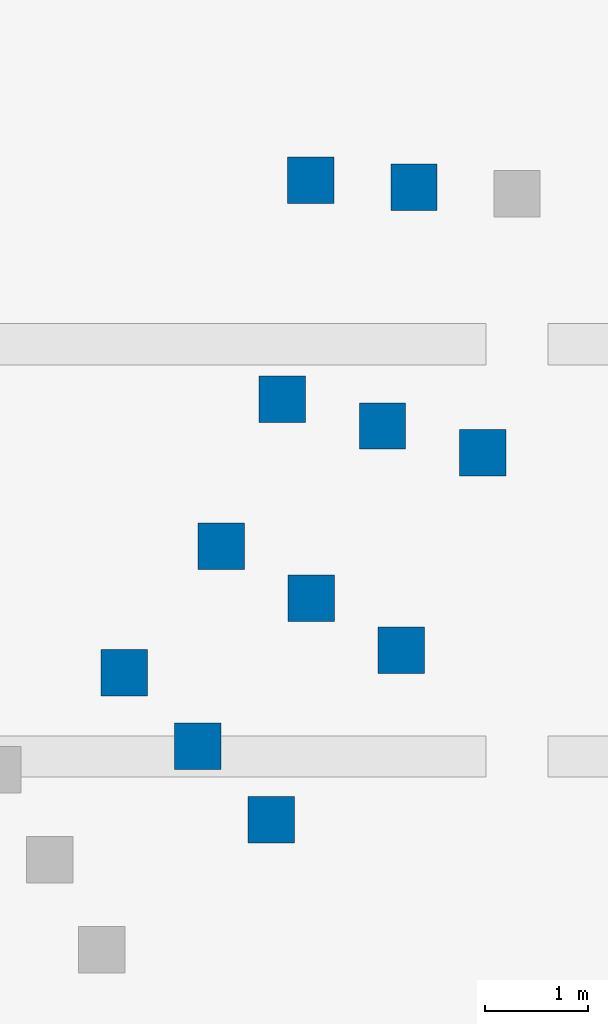
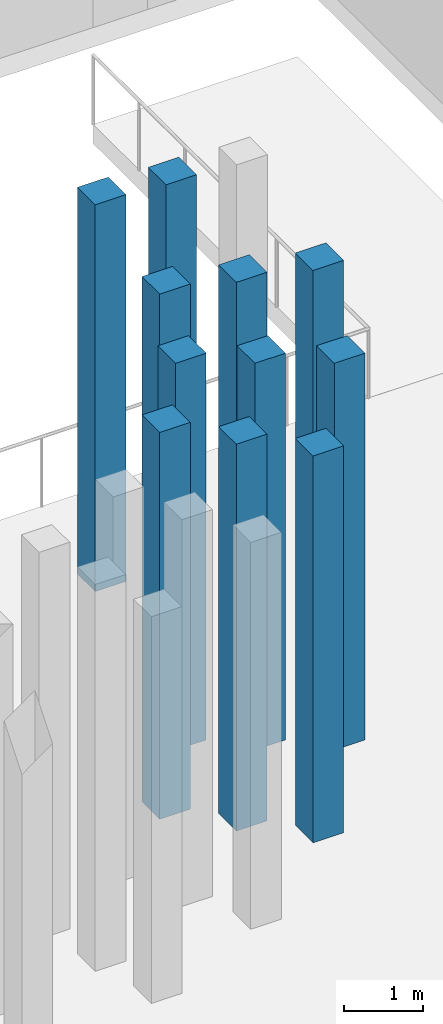
# One storey, part 12 of 155: 11 columns.
"""IFC4 building model written with IfcOpenShell, lengths in metres."""

from ifc_helpers import new_model, si_unit, direction, frame, origin, origin_2d, place, context, subcontext, project, spatial, rectangle, extrude, material, material_profile, profile_set, type_object, element, save


model = new_model("IFC4")

# Units and contexts
model_context = context("Model", 3, precision=1e-05, world=origin(), true_north=direction((0.0, 1.0)))
body_context = subcontext(model_context, "Body", "Model", "MODEL_VIEW")
ifc_project = project(units=[si_unit("LENGTHUNIT", "METRE"), si_unit("AREAUNIT", "SQUARE_METRE"), si_unit("VOLUMEUNIT", "CUBIC_METRE"), si_unit("PLANEANGLEUNIT", "RADIAN"), si_unit("MASSUNIT", "GRAM", prefix="KILO")], contexts=[model_context])

# Site, building, storey
site_placement = place(None, origin())
site = spatial("IfcSite", under=ifc_project, at=site_placement, CompositionType="ELEMENT")
building_placement = place(site_placement, origin())
building = spatial("IfcBuilding", under=site, at=building_placement, Name="Lunette Opera House", CompositionType="ELEMENT")
storey_placement = place(building_placement, origin())
storey = spatial("IfcBuildingStorey", under=building, at=storey_placement, Name="L00", CompositionType="ELEMENT", Elevation=0.0)

# Columns
ifc_material = material(Name="Concrete C40/50", Category="concrete")
ifc_material_profile = material_profile(ifc_material, rectangle(XDim=0.449951171875, YDim=0.449951171875, at=origin_2d()), Name="RC COLUMN 450X450")
ifc_profile_set = profile_set([ifc_material_profile], Name="Concrete C40/50")
column_type = type_object("IfcColumnType", Name="RC COLUMN 450X450", PredefinedType="COLUMN", material=ifc_profile_set)
for number, where, z_axis, x_axis, name in (
    (1, (100.18798828125, 79.81201171875, 0.0), (0.0, 0.0, 1.0), (1.0, 0.0, 0.0), "col-AU-L00-TCL02-10"),
    (2, (101.12890625, 81.0390625, 0.0), (0.0, 0.0, 1.0), (1.0, 0.0, 0.0), "col-AU-L00-TCL02-11"),
    (3, (101.720947265625, 82.467041015625, 0.0), (0.0, 0.0, 1.0), (1.0, 0.0, 0.0), "col-AU-L00-TCL02-12"),
    (4, (102.0, 84.590087890625, 0.0), (0.0, 0.0, 1.0), (1.0, 0.0, 0.0), "col-AU-L00-TCL02-13"),
    (5, (100.90087890625, 79.09912109375, 0.0), (0.0, 0.0, 1.0), (1.0, 0.0, 0.0), "col-AU-L00-TCL03-10"),
    (6, (102.001953125, 80.534912109375, 0.0), (0.0, 0.0, 1.0), (1.0, 0.0, 0.0), "col-AU-L00-TCL03-11"),
    (7, (102.695068359375, 82.2060546875, 0.0), (0.0, 0.0, 1.0), (1.0, 0.0, 0.0), "col-AU-L00-TCL03-12"),
    (8, (103.0, 84.52392578125, 0.0), (0.0, 0.0, 1.0), (1.0, 0.0, 0.0), "col-AU-L00-TCL03-13"),
    (9, (101.614013671875, 78.385986328125, 0.0), (0.0, 0.0, 1.0), (1.0, 0.0, 0.0), "col-AU-L00-TCL04-10"),
    (10, (102.8759765625, 80.030029296875, 0.0), (0.0, 0.0, 1.0), (1.0, 0.0, 0.0), "col-AU-L00-TCL04-11"),
    (11, (103.6689453125, 81.945068359375, 0.0), (0.0, 0.0, 1.0), (1.0, 0.0, 0.0), "col-AU-L00-TCL04-12"),
):
    element("IfcColumn", number, at=place(storey_placement, frame(where, z_axis=z_axis, x_axis=x_axis)), inside=storey, type_object=column_type, Name=name, PredefinedType="COLUMN", context=body_context, shape_type="SweptSolid", body=[
        extrude(rectangle(XDim=0.449951171875, YDim=0.449951171875, at=origin_2d()), origin(), (0.0, 0.0, 1.0), 6.0),
    ])

save(model, "model.ifc")
